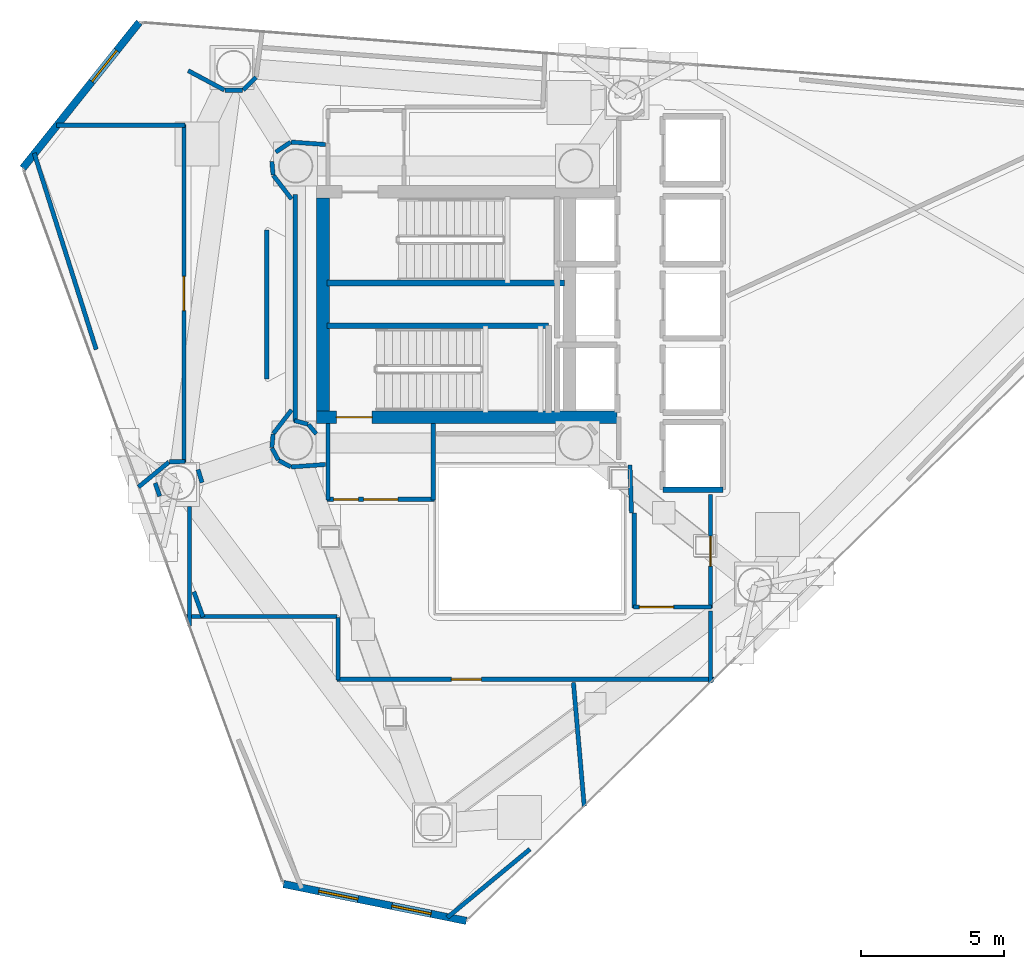
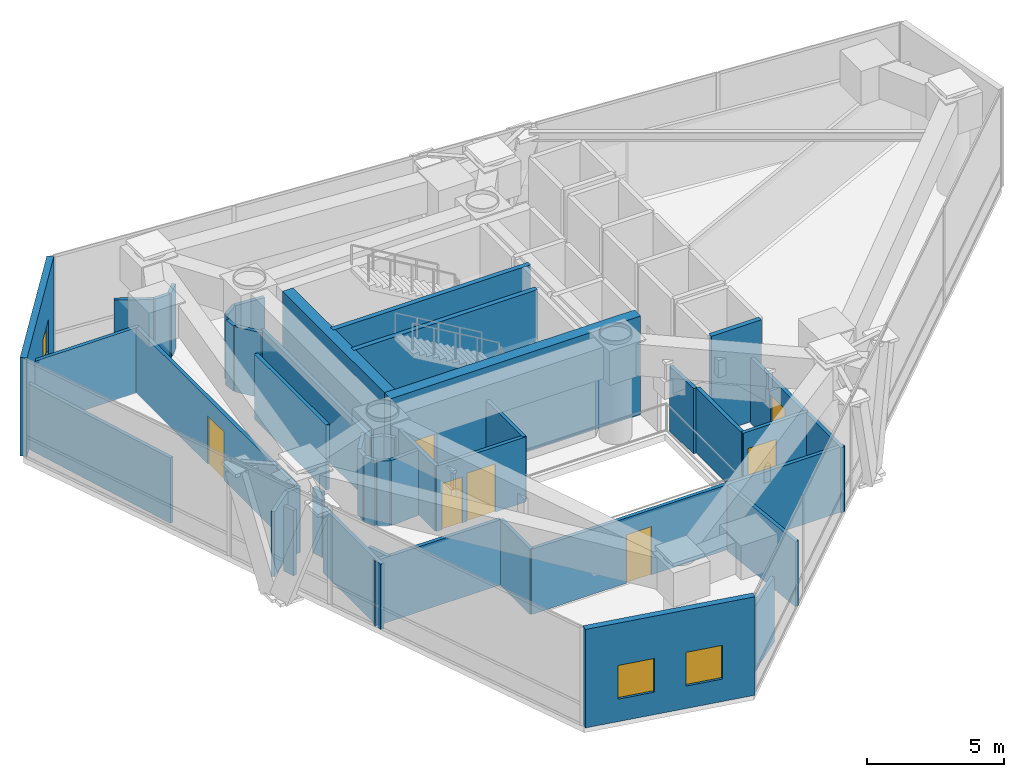
# One storey, part 16 of 20: 45 walls, 7 doors, 3 windows, 10 openings.
"""IFC4 building model written with IfcOpenShell, lengths in metres."""

from ifc_helpers import new_model, si_unit, direction, frame, frame_2d, origin, place, context, subcontext, project, spatial, rectangle, extrude, material, layer, layer_set, type_object, element, fill, save


model = new_model("IFC4")

# Units and contexts
model_context = context("Model", 3, precision=1e-05, world=origin(), true_north=direction((0.0, 1.0)))
body_context = subcontext(model_context, "Body", "Model", "MODEL_VIEW")
ifc_project = project(units=[si_unit("LENGTHUNIT", "METRE"), si_unit("AREAUNIT", "SQUARE_METRE"), si_unit("VOLUMEUNIT", "CUBIC_METRE"), si_unit("PLANEANGLEUNIT", "RADIAN"), si_unit("MASSUNIT", "GRAM", prefix="KILO")], contexts=[model_context])

# Site, building, storey
site_placement = place(None, origin())
site = spatial("IfcSite", under=ifc_project, at=site_placement, CompositionType="ELEMENT")
building_placement = place(site_placement, origin())
building = spatial("IfcBuilding", under=site, at=building_placement, Name="Qianvela Tower", CompositionType="ELEMENT")
storey_placement = place(building_placement, frame((0.0, 0.0, 229.89990234375)))
storey = spatial("IfcBuildingStorey", under=building, at=storey_placement, Name="L59", CompositionType="ELEMENT", Elevation=229.89990234375)

# Wall, opening, window
ifc_material_1 = material(Name="Terracotta Cladding on Concrete C40", Category="masonry")
ifc_layer_1 = layer(ifc_material_1, 0.260009765625)
ifc_layer_set_1 = layer_set([ifc_layer_1], Name="Terracotta Cladding on Concrete C40")
wall_type_1 = type_object("IfcWallType", Name="TERRACOTTA-WALL-260", PredefinedType="SOLIDWALL", material=ifc_layer_set_1)
wall_1_placement = place(storey_placement, frame((23.12744140625, 38.576416015625, 0.0), z_axis=(0.0, 0.0, 1.0), x_axis=(-0.624042741738, -0.781390207568, 0.0)))
wall_1 = element("IfcWall", 1, at=wall_1_placement, inside=storey, type_object=wall_type_1, Name="L59 Terracotta Chamfer Facet Wall 3", PredefinedType="SOLIDWALL", context=body_context, shape_type="SweptSolid", body=[
    extrude(rectangle(XDim=6.529052734375, YDim=0.260009765625, at=frame_2d((3.2646484375, 0.0))), origin(), (0.0, 0.0, 1.0), 4.380126953125),
])
opening_1_placement = place(wall_1_placement, frame((1.2587890625, 0.0, 1.0)))
opening_1 = element("IfcOpeningElement", 2, at=opening_1_placement, cuts=wall_1, Name="Opening W-06", PredefinedType="OPENING", context=body_context, shape_type="SweptSolid", body=[
    extrude(rectangle(XDim=1.39990234375, YDim=1.5, at=frame_2d((0.699951171875, 0.75))), frame((0.0, 0.139892578125, 0.0), z_axis=(0.0, -1.0, 0.0), x_axis=(1.0, 0.0, 0.0)), (0.0, 0.0, 1.0), 0.280029296875),
])
ifc_material_2 = material(Name="Thermally Broken Aluminium and Low-E Glass", Category="aluminium")
window_type = type_object("IfcWindowType", Name="WIN-REF-1400x1500", PartitioningType="SINGLE_PANEL", PredefinedType="WINDOW", material=ifc_material_2)
window_1_placement = place(opening_1_placement, origin())
window_1 = element("IfcWindow", 3, at=window_1_placement, inside=storey, type_object=window_type, Name="L59 Chamfer Facet Window 3.1", OverallHeight=1.5, OverallWidth=1.39990234375, PartitioningType="SINGLE_PANEL", PredefinedType="WINDOW", context=body_context, shape_type="SweptSolid", body=[
    extrude(rectangle(XDim=1.39990234375, YDim=1.5, at=frame_2d((0.699951171875, 0.75))), frame((0.0, 0.030029296875, 0.0), z_axis=(0.0, -1.0, 0.0), x_axis=(1.0, 0.0, 0.0)), (0.0, 0.0, 1.0), 0.06005859375),
])
fill(opening_1, window_1)

# Wall, openings, windows
wall_2_placement = place(storey_placement, frame((28.17333984375, 8.41650390625, 0.0), z_axis=(0.0, 0.0, 1.0), x_axis=(0.980315150118, -0.197439120866, 0.0)))
wall_2 = element("IfcWall", 4, at=wall_2_placement, inside=storey, type_object=wall_type_1, Name="L59 Terracotta Chamfer Facet Wall 5", PredefinedType="SOLIDWALL", context=body_context, shape_type="SweptSolid", body=[
    extrude(rectangle(XDim=6.52880859375, YDim=0.260009765625, at=frame_2d((3.264404296875, 0.0))), origin(), (0.0, 0.0, 1.0), 4.380126953125),
])
opening_2_placement = place(wall_2_placement, frame((1.2587890625, 0.0, 1.0)))
opening_2 = element("IfcOpeningElement", 5, at=opening_2_placement, cuts=wall_2, Name="Opening W-06", PredefinedType="OPENING", context=body_context, shape_type="SweptSolid", body=[
    extrude(rectangle(XDim=1.39990234375, YDim=1.5, at=frame_2d((0.699951171875, 0.75))), frame((0.0, 0.139892578125, 0.0), z_axis=(0.0, -1.0, 0.0), x_axis=(1.0, 0.0, 0.0)), (0.0, 0.0, 1.0), 0.280029296875),
])
opening_3_placement = place(wall_2_placement, frame((3.870361328125, 0.0, 1.0)))
opening_3 = element("IfcOpeningElement", 6, at=opening_3_placement, cuts=wall_2, Name="Opening W-06", PredefinedType="OPENING", context=body_context, shape_type="SweptSolid", body=[
    extrude(rectangle(XDim=1.39990234375, YDim=1.5, at=frame_2d((0.699951171875, 0.75))), frame((0.0, 0.139892578125, 0.0), z_axis=(0.0, -1.0, 0.0), x_axis=(1.0, 0.0, 0.0)), (0.0, 0.0, 1.0), 0.280029296875),
])
window_2_placement = place(opening_2_placement, origin())
window_2 = element("IfcWindow", 7, at=window_2_placement, inside=storey, type_object=window_type, Name="L59 Chamfer Facet Window 5.1", OverallHeight=1.5, OverallWidth=1.39990234375, PartitioningType="SINGLE_PANEL", PredefinedType="WINDOW", context=body_context, shape_type="SweptSolid", body=[
    extrude(rectangle(XDim=1.39990234375, YDim=1.5, at=frame_2d((0.699951171875, 0.75))), frame((0.0, 0.030029296875, 0.0), z_axis=(0.0, -1.0, 0.0), x_axis=(1.0, 0.0, 0.0)), (0.0, 0.0, 1.0), 0.06005859375),
])
fill(opening_2, window_2)
window_3_placement = place(opening_3_placement, origin())
window_3 = element("IfcWindow", 8, at=window_3_placement, inside=storey, type_object=window_type, Name="L59 Chamfer Facet Window 5.2", OverallHeight=1.5, OverallWidth=1.39990234375, PartitioningType="SINGLE_PANEL", PredefinedType="WINDOW", context=body_context, shape_type="SweptSolid", body=[
    extrude(rectangle(XDim=1.39990234375, YDim=1.5, at=frame_2d((0.699951171875, 0.75))), frame((0.0, 0.030029296875, 0.0), z_axis=(0.0, -1.0, 0.0), x_axis=(1.0, 0.0, 0.0)), (0.0, 0.0, 1.0), 0.06005859375),
])
fill(opening_3, window_3)

# Wall, opening, door
ifc_material_3 = material(Name="Concrete C50", Category="concrete")
ifc_layer_2 = layer(ifc_material_3, 0.449951171875)
ifc_layer_set_2 = layer_set([ifc_layer_2], Name="Concrete C50")
wall_type_2 = type_object("IfcWallType", Name="WT-CORE-450", PredefinedType="SHEAR", material=ifc_layer_set_2)
wall_3_placement = place(storey_placement, frame((29.330078125, 24.7548828125, 0.0), z_axis=(0.0, 0.0, 1.0), x_axis=(1.0, 0.0, 0.0)))
wall_3 = element("IfcWall", 9, at=wall_3_placement, inside=storey, type_object=wall_type_2, Name="L59 South Core Shear Wall", PredefinedType="SHEAR", context=body_context, shape_type="SweptSolid", body=[
    extrude(rectangle(XDim=10.52001953125, YDim=0.449951171875, at=frame_2d((5.260009765625, 0.0))), origin(), (0.0, 0.0, 1.0), 4.380126953125),
])
opening_4_placement = place(wall_3_placement, frame((0.695068359375, 0.0, 0.0)))
opening_4 = element("IfcOpeningElement", 10, at=opening_4_placement, cuts=wall_3, Name="Opening D-ST1", PredefinedType="OPENING", context=body_context, shape_type="SweptSolid", body=[
    extrude(rectangle(XDim=1.25, YDim=2.14990234375, at=frame_2d((0.625, 1.074951171875))), frame((0.0, 0.23486328125, 0.0), z_axis=(0.0, -1.0, 0.0), x_axis=(1.0, 0.0, 0.0)), (0.0, 0.0, 1.0), 0.469970703125),
])
ifc_material_4 = material(Name="Galvanised Fire Steel Q355B", Category="steel")
door_type_1 = type_object("IfcDoorType", Name="DT-STAIR-FD90", OperationType="NOTDEFINED", PredefinedType="DOOR", material=ifc_material_4)
door_1_placement = place(opening_4_placement, origin())
door_1 = element("IfcDoor", 11, at=door_1_placement, inside=storey, type_object=door_type_1, Name="L59 Stair ST-2 Exit Door", OperationType="SINGLE_SWING_LEFT", OverallHeight=2.14990234375, OverallWidth=1.25, PredefinedType="DOOR", context=body_context, shape_type="SweptSolid", body=[
    extrude(rectangle(XDim=1.25, YDim=2.14990234375, at=frame_2d((0.625, 1.074951171875))), frame((0.0, 0.02490234375, 0.0), z_axis=(0.0, -1.0, 0.0), x_axis=(1.0, 0.0, 0.0)), (0.0, 0.0, 1.0), 0.050048828125),
])
fill(opening_4, door_1)

# Wall
wall_4_placement = place(storey_placement, frame((29.554931640625, 24.97998046875, 0.0), z_axis=(0.0, 0.0, 1.0), x_axis=(0.0, 1.0, 0.0)))
element("IfcWall", 12, at=wall_4_placement, inside=storey, type_object=wall_type_2, Name="L59 West Core Shear Wall", PredefinedType="SHEAR", context=body_context, shape_type="SweptSolid", body=[
    extrude(rectangle(XDim=7.43994140625, YDim=0.449951171875, at=frame_2d((3.719970703125, 0.0))), origin(), (0.0, 0.0, 1.0), 4.380126953125),
])

# Wall, openings, doors
ifc_material_5 = material(Name="Fire-Rated Acoustic Gypsum Board")
ifc_layer_3 = layer(ifc_material_5, 0.14990234375)
ifc_layer_set_3 = layer_set([ifc_layer_3], Name="Fire-Rated Acoustic Gypsum Board")
wall_type_3 = type_object("IfcWallType", Name="WT-CORR-150", PredefinedType="PARTITIONING", material=ifc_layer_set_3)
wall_5_placement = place(storey_placement, frame((33.449951171875, 21.881103515625, 0.0), z_axis=(0.0, 0.0, 1.0), x_axis=(-1.0, 0.0, 0.0)))
wall_5 = element("IfcWall", 13, at=wall_5_placement, inside=storey, type_object=wall_type_3, Name="L59 Partition 5", PredefinedType="PARTITIONING", context=body_context, shape_type="SweptSolid", body=[
    extrude(rectangle(XDim=3.75, YDim=0.14990234375, at=frame_2d((1.875, 0.0))), origin(), (0.0, 0.0, 1.0), 2.900146484375),
])
opening_5_placement = place(wall_5_placement, frame((1.27490234375, 0.0, 0.0)))
opening_5 = element("IfcOpeningElement", 14, at=opening_5_placement, cuts=wall_5, Name="Opening D-LB1", PredefinedType="OPENING", context=body_context, shape_type="SweptSolid", body=[
    extrude(rectangle(XDim=1.199951171875, YDim=2.14990234375, at=frame_2d((0.60009765625, 1.074951171875))), frame((0.0, 0.0849609375, 0.0), z_axis=(0.0, -1.0, 0.0), x_axis=(1.0, 0.0, 0.0)), (0.0, 0.0, 1.0), 0.169921875),
])
opening_6_placement = place(wall_5_placement, frame((2.659912109375, 0.0, 0.0)))
opening_6 = element("IfcOpeningElement", 15, at=opening_6_placement, cuts=wall_5, Name="Opening D-LB2", PredefinedType="OPENING", context=body_context, shape_type="SweptSolid", body=[
    extrude(rectangle(XDim=0.860107421875, YDim=2.050048828125, at=frame_2d((0.43017578125, 1.02490234375))), frame((0.0, 0.0849609375, 0.0), z_axis=(0.0, -1.0, 0.0), x_axis=(1.0, 0.0, 0.0)), (0.0, 0.0, 1.0), 0.169921875),
])
ifc_material_6 = material(Name="Glazed Fire-Rated Steel Frame", Category="steel")
door_type_2 = type_object("IfcDoorType", Name="DT-LOBBY-FD90", OperationType="NOTDEFINED", PredefinedType="DOOR", material=ifc_material_6)
door_2_placement = place(opening_5_placement, origin())
door_2 = element("IfcDoor", 16, at=door_2_placement, inside=storey, type_object=door_type_2, Name="L59 Door L59 Firefighting Lobby South to L59 Mechanical Plant Corridor", OperationType="SINGLE_SWING_RIGHT", OverallHeight=2.14990234375, OverallWidth=1.199951171875, PredefinedType="DOOR", context=body_context, shape_type="SweptSolid", body=[
    extrude(rectangle(XDim=1.199951171875, YDim=2.14990234375, at=frame_2d((0.60009765625, 1.074951171875))), frame((0.0, 0.02490234375, 0.0), z_axis=(0.0, -1.0, 0.0), x_axis=(1.0, 0.0, 0.0)), (0.0, 0.0, 1.0), 0.050048828125),
])
fill(opening_5, door_2)
ifc_material_7 = material(Name="Insulated Steel Fire Door Q355B", Category="steel")
door_type_3 = type_object("IfcDoorType", Name="DT-LOBBY-FD90-860", OperationType="NOTDEFINED", PredefinedType="DOOR", material=ifc_material_7)
door_3_placement = place(opening_6_placement, origin())
door_3 = element("IfcDoor", 17, at=door_3_placement, inside=storey, type_object=door_type_3, Name="L59 Door L59 Firefighting Lobby South to L59 Mechanical Plant Corridor", OperationType="SINGLE_SWING_RIGHT", OverallHeight=2.050048828125, OverallWidth=0.860107421875, PredefinedType="DOOR", context=body_context, shape_type="SweptSolid", body=[
    extrude(rectangle(XDim=0.860107421875, YDim=2.050048828125, at=frame_2d((0.43017578125, 1.02490234375))), frame((0.0, 0.02490234375, 0.0), z_axis=(0.0, -1.0, 0.0), x_axis=(1.0, 0.0, 0.0)), (0.0, 0.0, 1.0), 0.050048828125),
])
fill(opening_6, door_3)

# Walls
for number, where, z_axis, x_axis, name in (
    (18, (29.73095703125, 21.85009765625, 0.0), (0.0, 0.0, 1.0), (0.0, 1.0, 0.0), "L59 Partition 6"),
    (19, (33.4189453125, 24.5419921875, 0.0), (0.0, 0.0, 1.0), (0.0, -1.0, 0.0), "L59 Partition 8"),
):
    element("IfcWall", number, at=place(storey_placement, frame(where, z_axis=z_axis, x_axis=x_axis)), inside=storey, type_object=wall_type_3, Name=name, PredefinedType="PARTITIONING", context=body_context, shape_type="SweptSolid", body=[
        extrude(rectangle(XDim=2.69189453125, YDim=0.14990234375, at=frame_2d((1.345947265625, 0.0))), origin(), (0.0, 0.0, 1.0), 2.900146484375),
    ])
wall_6_placement = place(storey_placement, frame((40.35107421875, 21.40087890625, 0.0), z_axis=(0.0, 0.0, 1.0), x_axis=(-0.031058045979, 0.999517582527, 0.0)))
element("IfcWall", 20, at=wall_6_placement, inside=storey, type_object=wall_type_3, Name="L59 Partition 9", PredefinedType="PARTITIONING", context=body_context, shape_type="SweptSolid", body=[
    extrude(rectangle(XDim=1.68212890625, YDim=0.14990234375, at=frame_2d((0.841064453125, 0.0))), origin(), (0.0, 0.0, 1.0), 2.900146484375),
])

# Wall, opening, door
wall_7_placement = place(storey_placement, frame((43.118896484375, 22.050048828125, 0.0), z_axis=(0.0, 0.0, 1.0), x_axis=(0.0, -1.0, 0.0)))
wall_7 = element("IfcWall", 21, at=wall_7_placement, inside=storey, type_object=wall_type_3, Name="L59 Partition 17", PredefinedType="PARTITIONING", context=body_context, shape_type="SweptSolid", body=[
    extrude(rectangle(XDim=3.969970703125, YDim=0.14990234375, at=frame_2d((1.98486328125, 0.0))), origin(), (0.0, 0.0, 1.0), 2.900146484375),
])
opening_7_placement = place(wall_7_placement, frame((1.4599609375, 0.0, 0.0)))
opening_7 = element("IfcOpeningElement", 22, at=opening_7_placement, cuts=wall_7, Name="Opening D-PL1", PredefinedType="OPENING", context=body_context, shape_type="SweptSolid", body=[
    extrude(rectangle(XDim=1.050048828125, YDim=2.14990234375, at=frame_2d((0.52490234375, 1.074951171875))), frame((0.0, 0.0849609375, 0.0), z_axis=(0.0, -1.0, 0.0), x_axis=(1.0, 0.0, 0.0)), (0.0, 0.0, 1.0), 0.169921875),
])
ifc_material_8 = material(Name="Insulated Steel Fire Door Q355B", Category="steel")
door_type_4 = type_object("IfcDoorType", Name="DT-PLANT-FD90", OperationType="NOTDEFINED", PredefinedType="DOOR", material=ifc_material_8)
door_4_placement = place(opening_7_placement, origin())
door_4 = element("IfcDoor", 23, at=door_4_placement, inside=storey, type_object=door_type_4, Name="L59 Door L59 Hydronic Heat Exchanger and Fire Pump Room to L59 Lift Lobby", OperationType="SINGLE_SWING_RIGHT", OverallHeight=2.14990234375, OverallWidth=1.050048828125, PredefinedType="DOOR", context=body_context, shape_type="SweptSolid", body=[
    extrude(rectangle(XDim=1.050048828125, YDim=2.14990234375, at=frame_2d((0.52490234375, 1.074951171875))), frame((0.0, 0.02490234375, 0.0), z_axis=(0.0, -1.0, 0.0), x_axis=(1.0, 0.0, 0.0)), (0.0, 0.0, 1.0), 0.050048828125),
])
fill(opening_7, door_4)

wall_8_placement = place(storey_placement, frame((43.14990234375, 18.111083984375, 0.0), z_axis=(0.0, 0.0, 1.0), x_axis=(-1.0, 0.0, 0.0)))
wall_8 = element("IfcWall", 24, at=wall_8_placement, inside=storey, type_object=wall_type_3, Name="L59 Partition 18", PredefinedType="PARTITIONING", context=body_context, shape_type="SweptSolid", body=[
    extrude(rectangle(XDim=2.72998046875, YDim=0.14990234375, at=frame_2d((1.364990234375, 0.0))), origin(), (0.0, 0.0, 1.0), 2.900146484375),
])
opening_8_placement = place(wall_8_placement, frame((1.324951171875, 0.0, 0.0)))
opening_8 = element("IfcOpeningElement", 25, at=opening_8_placement, cuts=wall_8, Name="Opening D-LB1", PredefinedType="OPENING", context=body_context, shape_type="SweptSolid", body=[
    extrude(rectangle(XDim=1.199951171875, YDim=2.14990234375, at=frame_2d((0.60009765625, 1.074951171875))), frame((0.0, 0.0849609375, 0.0), z_axis=(0.0, -1.0, 0.0), x_axis=(1.0, 0.0, 0.0)), (0.0, 0.0, 1.0), 0.169921875),
])
door_5_placement = place(opening_8_placement, origin())
door_5 = element("IfcDoor", 26, at=door_5_placement, inside=storey, type_object=door_type_2, Name="L59 Door L59 Lift Lobby to L59 Mechanical Plant Corridor", OperationType="SINGLE_SWING_LEFT", OverallHeight=2.14990234375, OverallWidth=1.199951171875, PredefinedType="DOOR", context=body_context, shape_type="SweptSolid", body=[
    extrude(rectangle(XDim=1.199951171875, YDim=2.14990234375, at=frame_2d((0.60009765625, 1.074951171875))), frame((0.0, 0.02490234375, 0.0), z_axis=(0.0, -1.0, 0.0), x_axis=(1.0, 0.0, 0.0)), (0.0, 0.0, 1.0), 0.050048828125),
])
fill(opening_8, door_5)

# Walls
wall_9_placement = place(storey_placement, frame((40.450927734375, 18.080078125, 0.0), z_axis=(0.0, 0.0, 1.0), x_axis=(0.0, 1.0, 0.0)))
element("IfcWall", 27, at=wall_9_placement, inside=storey, type_object=wall_type_3, Name="L59 Partition 19 seg 1", PredefinedType="PARTITIONING", context=body_context, shape_type="SweptSolid", body=[
    extrude(rectangle(XDim=3.31982421875, YDim=0.14990234375, at=frame_2d((1.659912109375, 0.0))), origin(), (0.0, 0.0, 1.0), 2.900146484375),
])
wall_10_placement = place(storey_placement, frame((29.321044921875, 24.169921875, 0.0), z_axis=(0.0, 0.0, 1.0), x_axis=(-0.638008265708, 0.770029514296, 0.0)))
element("IfcWall", 28, at=wall_10_placement, inside=storey, type_object=wall_type_3, Name="L59 Partition 24", PredefinedType="PARTITIONING", context=body_context, shape_type="SweptSolid", body=[
    extrude(rectangle(XDim=0.430908203125, YDim=0.14990234375, at=frame_2d((0.21533203125, 0.0))), origin(), (0.0, 0.0, 1.0), 2.900146484375),
])
wall_11_placement = place(storey_placement, frame((29.030029296875, 24.511962890625, 0.0), z_axis=(0.0, 0.0, 1.0), x_axis=(-0.967681003213, 0.252177469296, 0.0)))
element("IfcWall", 29, at=wall_11_placement, inside=storey, type_object=wall_type_3, Name="L59 Partition 25", PredefinedType="PARTITIONING", context=body_context, shape_type="SweptSolid", body=[
    extrude(rectangle(XDim=0.488037109375, YDim=0.14990234375, at=frame_2d((0.244140625, 0.0))), origin(), (0.0, 0.0, 1.0), 2.900146484375),
])
wall_12_placement = place(storey_placement, frame((28.5810546875, 24.60498046875, 0.0), z_axis=(0.0, 0.0, 1.0), x_axis=(0.0, 1.0, 0.0)))
element("IfcWall", 30, at=wall_12_placement, inside=storey, type_object=wall_type_3, Name="L59 Partition 26", PredefinedType="PARTITIONING", context=body_context, shape_type="SweptSolid", body=[
    extrude(rectangle(XDim=7.945068359375, YDim=0.14990234375, at=frame_2d((3.97265625, 0.0))), origin(), (0.0, 0.0, 1.0), 2.900146484375),
])
wall_13_placement = place(storey_placement, frame((20.226318359375, 34.968994140625, 0.0), z_axis=(0.0, 0.0, 1.0), x_axis=(1.0, 0.0, 0.0)))
element("IfcWall", 31, at=wall_13_placement, inside=storey, type_object=wall_type_3, Name="L59 Partition 37", PredefinedType="PARTITIONING", context=body_context, shape_type="SweptSolid", body=[
    extrude(rectangle(XDim=4.49365234375, YDim=0.14990234375, at=frame_2d((2.246826171875, 0.0))), origin(), (0.0, 0.0, 1.0), 2.900146484375),
])

# Wall, opening, door
wall_14_placement = place(storey_placement, frame((24.68896484375, 35.0, 0.0), z_axis=(0.0, 0.0, 1.0), x_axis=(0.0, -1.0, 0.0)))
wall_14 = element("IfcWall", 32, at=wall_14_placement, inside=storey, type_object=wall_type_3, Name="L59 Partition 38", PredefinedType="PARTITIONING", context=body_context, shape_type="SweptSolid", body=[
    extrude(rectangle(XDim=11.824951171875, YDim=0.14990234375, at=frame_2d((5.91259765625, 0.0))), origin(), (0.0, 0.0, 1.0), 2.900146484375),
])
opening_9_placement = place(wall_14_placement, frame((5.3125, 0.0, 0.0)))
opening_9 = element("IfcOpeningElement", 33, at=opening_9_placement, cuts=wall_14, Name="Opening D-LB1", PredefinedType="OPENING", context=body_context, shape_type="SweptSolid", body=[
    extrude(rectangle(XDim=1.199951171875, YDim=2.14990234375, at=frame_2d((0.60009765625, 1.074951171875))), frame((0.0, 0.0849609375, 0.0), z_axis=(0.0, -1.0, 0.0), x_axis=(1.0, 0.0, 0.0)), (0.0, 0.0, 1.0), 0.169921875),
])
door_6_placement = place(opening_9_placement, origin())
door_6 = element("IfcDoor", 34, at=door_6_placement, inside=storey, type_object=door_type_2, Name="L59 Door L59 Fire Refuge Area North to L59 Mechanical Plant Corridor", OperationType="SINGLE_SWING_RIGHT", OverallHeight=2.14990234375, OverallWidth=1.199951171875, PredefinedType="DOOR", context=body_context, shape_type="SweptSolid", body=[
    extrude(rectangle(XDim=1.199951171875, YDim=2.14990234375, at=frame_2d((0.60009765625, 1.074951171875))), frame((0.0, 0.02490234375, 0.0), z_axis=(0.0, -1.0, 0.0), x_axis=(1.0, 0.0, 0.0)), (0.0, 0.0, 1.0), 0.050048828125),
])
fill(opening_9, door_6)

# Walls
wall_15_placement = place(storey_placement, frame((24.71923828125, 23.2060546875, 0.0), z_axis=(0.0, 0.0, 1.0), x_axis=(-0.999711776568, -0.024007577779, 0.0)))
element("IfcWall", 35, at=wall_15_placement, inside=storey, type_object=wall_type_3, Name="L59 Partition 39", PredefinedType="PARTITIONING", context=body_context, shape_type="SweptSolid", body=[
    extrude(rectangle(XDim=0.5390625, YDim=0.14990234375, at=frame_2d((0.26953125, 0.0))), origin(), (0.0, 0.0, 1.0), 2.900146484375),
])
wall_16_placement = place(storey_placement, frame((24.16162109375, 23.18603515625, 0.0), z_axis=(0.0, 0.0, 1.0), x_axis=(-0.773104540117, -0.634278621782, 0.0)))
element("IfcWall", 36, at=wall_16_placement, inside=storey, type_object=wall_type_3, Name="L59 Partition 40", PredefinedType="PARTITIONING", context=body_context, shape_type="SweptSolid", body=[
    extrude(rectangle(XDim=1.378662109375, YDim=0.14990234375, at=frame_2d((0.689453125, 0.0))), origin(), (0.0, 0.0, 1.0), 2.900146484375),
])
wall_17_placement = place(storey_placement, frame((23.6826171875, 22.449951171875, 0.0), z_axis=(0.0, 0.0, 1.0), x_axis=(0.327041651319, -0.945009924976, 0.0)))
element("IfcWall", 37, at=wall_17_placement, inside=storey, type_object=wall_type_3, Name="L59 Partition 42", PredefinedType="PARTITIONING", context=body_context, shape_type="SweptSolid", body=[
    extrude(rectangle(XDim=0.48681640625, YDim=0.14990234375, at=frame_2d((0.243408203125, 0.0))), origin(), (0.0, 0.0, 1.0), 2.900146484375),
])
wall_18_placement = place(storey_placement, frame((21.61962890625, 27.12451171875, 0.0), z_axis=(0.0, 0.0, 1.0), x_axis=(-0.301149199344, 0.95357703398, 0.0)))
element("IfcWall", 38, at=wall_18_placement, inside=storey, type_object=wall_type_3, Name="L59 Partition 43 seg 1", PredefinedType="PARTITIONING", context=body_context, shape_type="SweptSolid", body=[
    extrude(rectangle(XDim=7.2080078125, YDim=0.14990234375, at=frame_2d((3.60400390625, 0.0))), origin(), (0.0, 0.0, 1.0), 2.900146484375),
])
wall_19_placement = place(storey_placement, frame((24.83544921875, 36.884521484375, 0.0), z_axis=(0.0, 0.0, 1.0), x_axis=(0.881858584826, -0.471513983216, 0.0)))
element("IfcWall", 39, at=wall_19_placement, inside=storey, type_object=wall_type_3, Name="L59 Partition 45", PredefinedType="PARTITIONING", context=body_context, shape_type="SweptSolid", body=[
    extrude(rectangle(XDim=1.436767578125, YDim=0.14990234375, at=frame_2d((0.71826171875, 0.0))), origin(), (0.0, 0.0, 1.0), 2.900146484375),
])
for number, where, z_axis, x_axis, name in (
    (40, (26.1171875, 36.203369140625, 0.0), (0.0, 0.0, 1.0), (1.0, 0.0, 0.0), "L59 Partition 46"),
    (41, (26.7666015625, 36.21240234375, 0.0), (0.0, 0.0, 1.0), (0.707106781187, 0.707106781187, 0.0), "L59 Partition 47"),
):
    element("IfcWall", number, at=place(storey_placement, frame(where, z_axis=z_axis, x_axis=x_axis)), inside=storey, type_object=wall_type_3, Name=name, PredefinedType="PARTITIONING", context=body_context, shape_type="SweptSolid", body=[
        extrude(rectangle(XDim=0.627685546875, YDim=0.14990234375, at=frame_2d((0.31396484375, 0.0))), origin(), (0.0, 0.0, 1.0), 2.900146484375),
    ])
wall_20_placement = place(storey_placement, frame((29.64013671875, 34.298583984375, 0.0), z_axis=(0.0, 0.0, 1.0), x_axis=(-0.997392224386, 0.072171675429, 0.0)))
element("IfcWall", 42, at=wall_20_placement, inside=storey, type_object=wall_type_3, Name="L59 Partition 53", PredefinedType="PARTITIONING", context=body_context, shape_type="SweptSolid", body=[
    extrude(rectangle(XDim=1.200927734375, YDim=0.14990234375, at=frame_2d((0.6005859375, 0.0))), origin(), (0.0, 0.0, 1.0), 2.900146484375),
])
wall_21_placement = place(storey_placement, frame((28.4228515625, 34.3798828125, 0.0), z_axis=(0.0, 0.0, 1.0), x_axis=(-0.831571279003, -0.555418047903, 0.0)))
element("IfcWall", 43, at=wall_21_placement, inside=storey, type_object=wall_type_3, Name="L59 Partition 54", PredefinedType="PARTITIONING", context=body_context, shape_type="SweptSolid", body=[
    extrude(rectangle(XDim=0.627685546875, YDim=0.14990234375, at=frame_2d((0.31396484375, 0.0))), origin(), (0.0, 0.0, 1.0), 2.900146484375),
])
wall_22_placement = place(storey_placement, frame((27.764892578125, 33.706787109375, 0.0), z_axis=(0.0, 0.0, 1.0), x_axis=(0.09797988837, -0.995188394966, 0.0)))
element("IfcWall", 44, at=wall_22_placement, inside=storey, type_object=wall_type_3, Name="L59 Partition 55", PredefinedType="PARTITIONING", context=body_context, shape_type="SweptSolid", body=[
    extrude(rectangle(XDim=0.475830078125, YDim=0.14990234375, at=frame_2d((0.23779296875, 0.0))), origin(), (0.0, 0.0, 1.0), 2.900146484375),
])
wall_23_placement = place(storey_placement, frame((27.81787109375, 33.21728515625, 0.0), z_axis=(0.0, 0.0, 1.0), x_axis=(0.610908182604, -0.791701454102, 0.0)))
element("IfcWall", 45, at=wall_23_placement, inside=storey, type_object=wall_type_3, Name="L59 Partition 56", PredefinedType="PARTITIONING", context=body_context, shape_type="SweptSolid", body=[
    extrude(rectangle(XDim=1.0439453125, YDim=0.14990234375, at=frame_2d((0.52197265625, 0.0))), origin(), (0.0, 0.0, 1.0), 2.900146484375),
])
wall_24_placement = place(storey_placement, frame((27.589111328125, 31.30908203125, 0.0), z_axis=(0.0, 0.0, 1.0), x_axis=(0.0, -1.0, 0.0)))
element("IfcWall", 46, at=wall_24_placement, inside=storey, type_object=wall_type_3, Name="L59 Partition 59", PredefinedType="PARTITIONING", context=body_context, shape_type="SweptSolid", body=[
    extrude(rectangle(XDim=5.21826171875, YDim=0.14990234375, at=frame_2d((2.609130859375, 0.0))), origin(), (0.0, 0.0, 1.0), 2.900146484375),
])
wall_25_placement = place(storey_placement, frame((28.45556640625, 25.009033203125, 0.0), z_axis=(0.0, 0.0, 1.0), x_axis=(-0.610908182604, -0.791701454102, 0.0)))
element("IfcWall", 47, at=wall_25_placement, inside=storey, type_object=wall_type_3, Name="L59 Partition 62", PredefinedType="PARTITIONING", context=body_context, shape_type="SweptSolid", body=[
    extrude(rectangle(XDim=1.0439453125, YDim=0.14990234375, at=frame_2d((0.52197265625, 0.0))), origin(), (0.0, 0.0, 1.0), 2.900146484375),
])
wall_26_placement = place(storey_placement, frame((27.8115234375, 24.166748046875, 0.0), z_axis=(0.0, 0.0, 1.0), x_axis=(-0.09797988837, -0.995188394966, 0.0)))
element("IfcWall", 48, at=wall_26_placement, inside=storey, type_object=wall_type_3, Name="L59 Partition 63", PredefinedType="PARTITIONING", context=body_context, shape_type="SweptSolid", body=[
    extrude(rectangle(XDim=0.475830078125, YDim=0.14990234375, at=frame_2d((0.23779296875, 0.0))), origin(), (0.0, 0.0, 1.0), 2.900146484375),
])
for number, where, z_axis, x_axis, name in (
    (49, (27.768310546875, 23.67529296875, 0.0), (0.0, 0.0, 1.0), (0.471865548338, -0.881670519123, 0.0), "L59 Partition 64"),
    (50, (28.005615234375, 23.242919921875, 0.0), (0.0, 0.0, 1.0), (0.881670519123, -0.471865548338, 0.0), "L59 Partition 65"),
):
    element("IfcWall", number, at=place(storey_placement, frame(where, z_axis=z_axis, x_axis=x_axis)), inside=storey, type_object=wall_type_3, Name=name, PredefinedType="PARTITIONING", context=body_context, shape_type="SweptSolid", body=[
        extrude(rectangle(XDim=0.47607421875, YDim=0.14990234375, at=frame_2d((0.238037109375, 0.0))), origin(), (0.0, 0.0, 1.0), 2.900146484375),
    ])
wall_27_placement = place(storey_placement, frame((28.4423828125, 23.014892578125, 0.0), z_axis=(0.0, 0.0, 1.0), x_axis=(0.99740683837, 0.07196942943, 0.0)))
element("IfcWall", 51, at=wall_27_placement, inside=storey, type_object=wall_type_3, Name="L59 Partition 66", PredefinedType="PARTITIONING", context=body_context, shape_type="SweptSolid", body=[
    extrude(rectangle(XDim=1.200927734375, YDim=0.14990234375, at=frame_2d((0.6005859375, 0.0))), origin(), (0.0, 0.0, 1.0), 2.900146484375),
])
wall_28_placement = place(storey_placement, frame((43.118896484375, 17.97998046875, 0.0), z_axis=(0.0, 0.0, 1.0), x_axis=(0.0, -1.0, 0.0)))
element("IfcWall", 52, at=wall_28_placement, inside=storey, type_object=wall_type_3, Name="L59 Partition 70 seg 1", PredefinedType="PARTITIONING", context=body_context, shape_type="SweptSolid", body=[
    extrude(rectangle(XDim=2.51806640625, YDim=0.14990234375, at=frame_2d((1.259033203125, 0.0))), origin(), (0.0, 0.0, 1.0), 2.900146484375),
])

# Wall, opening, door
wall_29_placement = place(storey_placement, frame((43.240478515625, 15.5810546875, 0.0), z_axis=(0.0, 0.0, 1.0), x_axis=(-1.0, 0.0, 0.0)))
wall_29 = element("IfcWall", 53, at=wall_29_placement, inside=storey, type_object=wall_type_3, Name="L59 Partition 72", PredefinedType="PARTITIONING", context=body_context, shape_type="SweptSolid", body=[
    extrude(rectangle(XDim=13.1904296875, YDim=0.14990234375, at=frame_2d((6.59521484375, 0.0))), origin(), (0.0, 0.0, 1.0), 2.900146484375),
])
opening_10_placement = place(wall_29_placement, frame((8.14453125, 0.0, 0.0)))
opening_10 = element("IfcOpeningElement", 54, at=opening_10_placement, cuts=wall_29, Name="Opening D-PL1", PredefinedType="OPENING", context=body_context, shape_type="SweptSolid", body=[
    extrude(rectangle(XDim=1.050048828125, YDim=2.14990234375, at=frame_2d((0.52490234375, 1.074951171875))), frame((0.0, 0.0849609375, 0.0), z_axis=(0.0, -1.0, 0.0), x_axis=(1.0, 0.0, 0.0)), (0.0, 0.0, 1.0), 0.169921875),
])
door_7_placement = place(opening_10_placement, origin())
door_7 = element("IfcDoor", 55, at=door_7_placement, inside=storey, type_object=door_type_4, Name="L59 Door L59 Air Handling and Smoke Exhaust Plant Room to L59 Mechanical Plant Corridor", OperationType="SINGLE_SWING_LEFT", OverallHeight=2.14990234375, OverallWidth=1.050048828125, PredefinedType="DOOR", context=body_context, shape_type="SweptSolid", body=[
    extrude(rectangle(XDim=1.050048828125, YDim=2.14990234375, at=frame_2d((0.52490234375, 1.074951171875))), frame((0.0, 0.02490234375, 0.0), z_axis=(0.0, -1.0, 0.0), x_axis=(1.0, 0.0, 0.0)), (0.0, 0.0, 1.0), 0.050048828125),
])
fill(opening_10, door_7)

# Walls
wall_30_placement = place(storey_placement, frame((30.0810546875, 15.550048828125, 0.0), z_axis=(0.0, 0.0, 1.0), x_axis=(0.0, 1.0, 0.0)))
element("IfcWall", 56, at=wall_30_placement, inside=storey, type_object=wall_type_3, Name="L59 Partition 73", PredefinedType="PARTITIONING", context=body_context, shape_type="SweptSolid", body=[
    extrude(rectangle(XDim=2.199951171875, YDim=0.14990234375, at=frame_2d((1.10009765625, 0.0))), origin(), (0.0, 0.0, 1.0), 2.900146484375),
])
wall_31_placement = place(storey_placement, frame((30.050048828125, 17.781005859375, 0.0), z_axis=(0.0, 0.0, 1.0), x_axis=(-1.0, 0.0, 0.0)))
element("IfcWall", 57, at=wall_31_placement, inside=storey, type_object=wall_type_3, Name="L59 Partition 74", PredefinedType="PARTITIONING", context=body_context, shape_type="SweptSolid", body=[
    extrude(rectangle(XDim=5.30517578125, YDim=0.14990234375, at=frame_2d((2.652587890625, 0.0))), origin(), (0.0, 0.0, 1.0), 2.900146484375),
])
wall_32_placement = place(storey_placement, frame((25.358642578125, 17.760498046875, 0.0), z_axis=(0.0, 0.0, 1.0), x_axis=(-0.342033875797, 0.939687622462, 0.0)))
element("IfcWall", 58, at=wall_32_placement, inside=storey, type_object=wall_type_3, Name="L59 Partition 75", PredefinedType="PARTITIONING", context=body_context, shape_type="SweptSolid", body=[
    extrude(rectangle(XDim=0.943603515625, YDim=0.14990234375, at=frame_2d((0.4716796875, 0.0))), origin(), (0.0, 0.0, 1.0), 2.900146484375),
])
wall_33_placement = place(storey_placement, frame((24.881103515625, 17.442138671875, 0.0), z_axis=(0.0, 0.0, 1.0), x_axis=(0.0, 1.0, 0.0)))
element("IfcWall", 59, at=wall_33_placement, inside=storey, type_object=wall_type_3, Name="L59 Partition 76", PredefinedType="PARTITIONING", context=body_context, shape_type="SweptSolid", body=[
    extrude(rectangle(XDim=4.192138671875, YDim=0.14990234375, at=frame_2d((2.09619140625, 0.0))), origin(), (0.0, 0.0, 1.0), 2.900146484375),
])
wall_34_placement = place(storey_placement, frame((25.32177734375, 22.468994140625, 0.0), z_axis=(0.0, 0.0, 1.0), x_axis=(-0.290263585829, 0.956946733492, 0.0)))
element("IfcWall", 60, at=wall_34_placement, inside=storey, type_object=wall_type_3, Name="L59 Partition 77", PredefinedType="PARTITIONING", context=body_context, shape_type="SweptSolid", body=[
    extrude(rectangle(XDim=0.47607421875, YDim=0.14990234375, at=frame_2d((0.238037109375, 0.0))), origin(), (0.0, 0.0, 1.0), 2.900146484375),
])
wall_35_placement = place(storey_placement, frame((38.320068359375, 15.46728515625, 0.0), z_axis=(0.0, 0.0, 1.0), x_axis=(0.087146040228, -0.996195546905, 0.0)))
element("IfcWall", 61, at=wall_35_placement, inside=storey, type_object=wall_type_3, Name="L59 Partition 96", PredefinedType="PARTITIONING", context=body_context, shape_type="SweptSolid", body=[
    extrude(rectangle(XDim=4.34521484375, YDim=0.14990234375, at=frame_2d((2.172607421875, 0.0))), origin(), (0.0, 0.0, 1.0), 2.900146484375),
])
wall_36_placement = place(storey_placement, frame((36.79833984375, 9.637939453125, 0.0), z_axis=(0.0, 0.0, 1.0), x_axis=(-0.77050336414, -0.637435930779, 0.0)))
element("IfcWall", 62, at=wall_36_placement, inside=storey, type_object=wall_type_3, Name="L59 Partition 97 seg 1", PredefinedType="PARTITIONING", context=body_context, shape_type="SweptSolid", body=[
    extrude(rectangle(XDim=3.75390625, YDim=0.14990234375, at=frame_2d((1.876953125, 0.0))), origin(), (0.0, 0.0, 1.0), 2.900146484375),
])
ifc_material_9 = material(Name="Concrete C50", Category="concrete")
ifc_layer_4 = layer(ifc_material_9, 0.199951171875)
ifc_layer_set_4 = layer_set([ifc_layer_4], Name="Concrete C50")
wall_type_4 = type_object("IfcWallType", Name="WT-SHAFT-200", PredefinedType="SOLIDWALL", material=ifc_layer_set_4)
wall_37_placement = place(storey_placement, frame((29.699951171875, 29.449951171875, 0.0), z_axis=(0.0, 0.0, 1.0), x_axis=(1.0, 0.0, 0.0)))
element("IfcWall", 63, at=wall_37_placement, inside=storey, type_object=wall_type_4, Name="L59 Stair ST-1 South Wall", PredefinedType="SOLIDWALL", context=body_context, shape_type="SweptSolid", body=[
    extrude(rectangle(XDim=8.300048828125, YDim=0.199951171875, at=frame_2d((4.14990234375, 0.0))), origin(), (0.0, 0.0, 1.0), 4.380126953125),
])
wall_38_placement = place(storey_placement, frame((29.699951171875, 27.9599609375, 0.0), z_axis=(0.0, 0.0, 1.0), x_axis=(1.0, 0.0, 0.0)))
element("IfcWall", 64, at=wall_38_placement, inside=storey, type_object=wall_type_4, Name="L59 Stair ST-2 North Wall", PredefinedType="SOLIDWALL", context=body_context, shape_type="SweptSolid", body=[
    extrude(rectangle(XDim=7.75, YDim=0.199951171875, at=frame_2d((3.875, 0.0))), origin(), (0.0, 0.0, 1.0), 4.380126953125),
])
wall_39_placement = place(storey_placement, frame((41.449951171875, 22.219970703125, 0.0), z_axis=(0.0, 0.0, 1.0), x_axis=(1.0, 0.0, 0.0)))
element("IfcWall", 65, at=wall_39_placement, inside=storey, type_object=wall_type_4, Name="L59 Lift PL-H2 S Shaft Wall", PredefinedType="SOLIDWALL", context=body_context, shape_type="SweptSolid", body=[
    extrude(rectangle(XDim=2.10009765625, YDim=0.199951171875, at=frame_2d((1.050048828125, 0.0))), origin(), (0.0, 0.0, 1.0), 4.380126953125),
])

save(model, "model.ifc")
